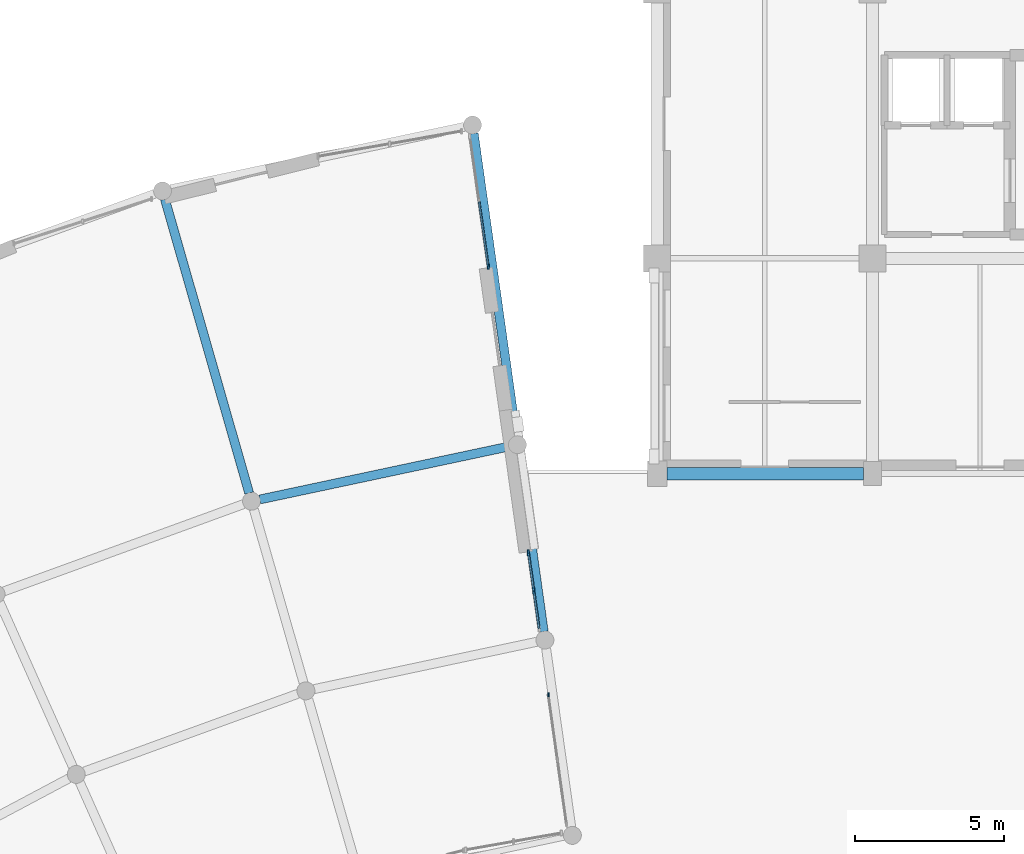
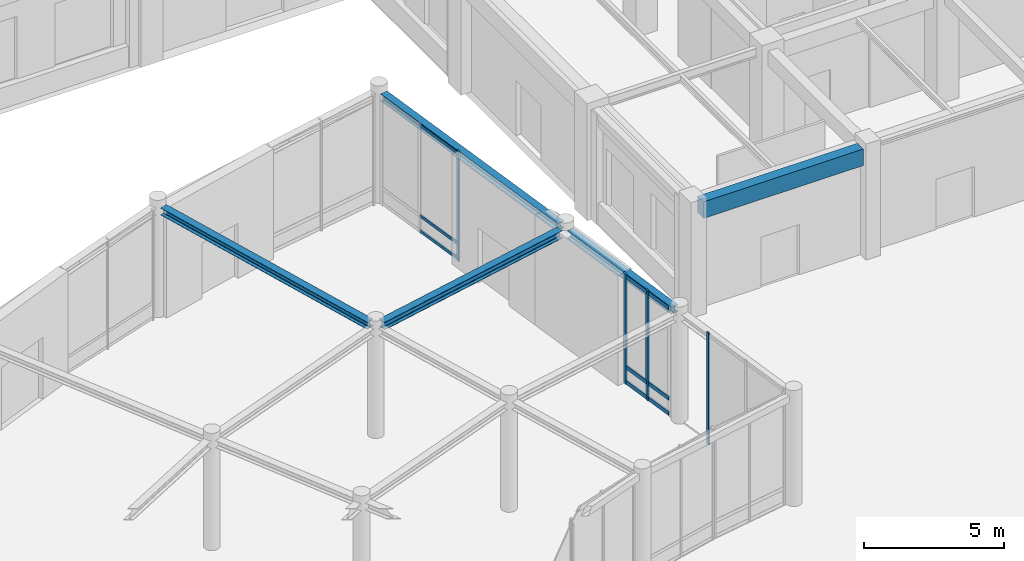
# One storey, part 34 of 64: 13 members, 5 beams, 3 elements without a shape of their own.
"""IFC4 building model written with IfcOpenShell, lengths in metres."""

from ifc_helpers import new_model, si_unit, direction, frame, origin, origin_2d, place, context, subcontext, project, spatial, rectangle, i_section, extrude, material, material_profile, profile_set, type_object, element, aggregate, save


model = new_model("IFC4")

# Units and contexts
model_context = context("Model", 3, precision=1e-05, world=origin(), true_north=direction((0.0, 1.0)))
body_context = subcontext(model_context, "Body", "Model", "MODEL_VIEW")
ifc_project = project(units=[si_unit("LENGTHUNIT", "METRE"), si_unit("AREAUNIT", "SQUARE_METRE"), si_unit("VOLUMEUNIT", "CUBIC_METRE"), si_unit("PLANEANGLEUNIT", "RADIAN"), si_unit("MASSUNIT", "GRAM", prefix="KILO")], contexts=[model_context])

# Site, building, storey
site_placement = place(None, origin())
site = spatial("IfcSite", under=ifc_project, at=site_placement, CompositionType="ELEMENT")
building_placement = place(site_placement, origin())
building = spatial("IfcBuilding", under=site, at=building_placement, Name="Clarverna Civic Hall", CompositionType="ELEMENT")
storey_placement = place(building_placement, origin())
storey = spatial("IfcBuildingStorey", under=building, at=storey_placement, Name="L00", CompositionType="ELEMENT", Elevation=0.0)

# Beams
ifc_material_1 = material(Name="Concrete C35/45", Category="concrete")
ifc_material_profile_1 = material_profile(ifc_material_1, rectangle(XDim=0.419921875, YDim=0.719970703125, at=origin_2d()), Name="RC 420x720")
ifc_profile_set_1 = profile_set([ifc_material_profile_1], Name="Concrete C35/45")
beam_type_1 = type_object("IfcBeamType", Name="B-SP1", PredefinedType="SPANDREL", material=ifc_profile_set_1)
beam_1_placement = place(storey_placement, frame((147.925048828125, 71.60009765625, 4.419921875), z_axis=(1.0, 0.0, 0.0), x_axis=(0.0, 1.0, 0.0)))
element("IfcBeam", 1, at=beam_1_placement, inside=storey, type_object=beam_type_1, Name="B-SP1-038", PredefinedType="SPANDREL", context=body_context, shape_type="SweptSolid", body=[
    extrude(rectangle(XDim=0.419921875, YDim=0.719970703125, at=origin_2d()), origin(), (0.0, 0.0, 1.0), 6.574951171875),
])
ifc_material_2 = material(Name="Steel S355", Category="steel")
ifc_material_profile_2 = material_profile(ifc_material_2, i_section(OverallWidth=0.300048828125, OverallDepth=0.330078125, WebThickness=0.009521484375, FlangeThickness=0.0166015625, FilletRadius=0.027099609375, at=origin_2d()), Name="HEA 340")
ifc_profile_set_2 = profile_set([ifc_material_profile_2], Name="Steel S355")
beam_type_2 = type_object("IfcBeamType", Name="B-ST8", PredefinedType="BEAM", material=ifc_profile_set_2)
beam_2_placement = place(storey_placement, frame((142.647216796875, 72.506103515625, 4.614990234375), z_axis=(-0.978154266042, -0.207880330537, 0.0), x_axis=(0.207880330537, -0.978154266042, 0.0)))
element("IfcBeam", 2, at=beam_2_placement, inside=storey, type_object=beam_type_2, Name="B-ST8-038", PredefinedType="BEAM", context=body_context, shape_type="SweptSolid", body=[
    extrude(i_section(OverallWidth=0.300048828125, OverallDepth=0.330078125, WebThickness=0.009521484375, FlangeThickness=0.0166015625, FilletRadius=0.027099609375, at=origin_2d()), origin(), (0.0, 0.0, 1.0), 8.5263671875),
])
ifc_material_profile_3 = material_profile(ifc_material_2, i_section(OverallWidth=0.300048828125, OverallDepth=0.31005859375, WebThickness=0.009033203125, FlangeThickness=0.015380859375, FilletRadius=0.027099609375, at=origin_2d()), Name="HEA 320")
ifc_profile_set_3 = profile_set([ifc_material_profile_3], Name="Steel S355")
beam_type_3 = type_object("IfcBeamType", Name="B-ST9", PredefinedType="BEAM", material=ifc_profile_set_3)
beam_3_placement = place(storey_placement, frame((143.8046875, 66.31201171875, 4.625), z_axis=(-0.139159294344, 0.990270009037, 0.0), x_axis=(-0.990270009037, -0.139159294344, 0.0)))
element("IfcBeam", 3, at=beam_3_placement, inside=storey, type_object=beam_type_3, Name="B-ST9-023", PredefinedType="BEAM", context=body_context, shape_type="SweptSolid", body=[
    extrude(i_section(OverallWidth=0.300048828125, OverallDepth=0.31005859375, WebThickness=0.009033203125, FlangeThickness=0.015380859375, FilletRadius=0.027099609375, at=origin_2d()), origin(), (0.0, 0.0, 1.0), 6.02978515625),
])
beam_4_placement = place(storey_placement, frame((142.88623046875, 72.84765625, 4.625), z_axis=(-0.1391791403, 0.990267219949, 0.0), x_axis=(-0.990267219949, -0.1391791403, 0.0)))
element("IfcBeam", 4, at=beam_4_placement, inside=storey, type_object=beam_type_3, Name="B-ST9-024", PredefinedType="BEAM", context=body_context, shape_type="SweptSolid", body=[
    extrude(i_section(OverallWidth=0.300048828125, OverallDepth=0.31005859375, WebThickness=0.009033203125, FlangeThickness=0.015380859375, FilletRadius=0.027099609375, at=origin_2d()), origin(), (0.0, 0.0, 1.0), 10.230224609375),
])
beam_5_placement = place(storey_placement, frame((133.94970703125, 70.9482421875, 4.625), z_axis=(-0.275619330594, 0.961266864405, 0.0), x_axis=(-0.961266864405, -0.275619330594, 0.0)))
element("IfcBeam", 5, at=beam_5_placement, inside=storey, type_object=beam_type_3, Name="B-ST9-027", PredefinedType="BEAM", context=body_context, shape_type="SweptSolid", body=[
    extrude(i_section(OverallWidth=0.300048828125, OverallDepth=0.31005859375, WebThickness=0.009033203125, FlangeThickness=0.015380859375, FilletRadius=0.027099609375, at=origin_2d()), origin(), (0.0, 0.0, 1.0), 10.22998046875),
])

# Curtain wall, member
ifc_material_3 = material(Name="Anodised Bronze Architectural Aluminium", Category="aluminium")
curtain_wall_type = type_object("IfcCurtainWallType", Name="CW-03", PredefinedType="USERDEFINED", material=ifc_material_3)
curtain_wall_1_placement = place(storey_placement, origin())
curtain_wall_1 = element("IfcCurtainWall", 6, at=curtain_wall_1_placement, inside=storey, type_object=curtain_wall_type, Name="CW-03-005", ObjectType="UNITISED CURTAIN WALL", PredefinedType="USERDEFINED")
ifc_material_profile_4 = material_profile(ifc_material_3, rectangle(XDim=0.06005859375, YDim=0.159912109375, at=origin_2d()), Name="BRONZE 60x160")
ifc_profile_set_4 = profile_set([ifc_material_profile_4], Name="Anodised Bronze Architectural Aluminium")
member_type_1 = type_object("IfcMemberType", Name="CWM-02", PredefinedType="MULLION", material=ifc_profile_set_4)
member_1_placement = place(storey_placement, frame((141.947509765625, 78.520263671875, 0.0), z_axis=(0.0, 0.0, 1.0), x_axis=(1.0, 0.0, 0.0)))
member_1 = element("IfcMember", 7, at=member_1_placement, type_object=member_type_1, Name="CWM-02-006", PredefinedType="MULLION", context=body_context, shape_type="SweptSolid", body=[
    extrude(rectangle(XDim=0.06005859375, YDim=0.159912109375, at=origin_2d()), origin(), (0.0, 0.0, 1.0), 4.780029296875),
])

# Curtain wall, members
curtain_wall_2_placement = place(storey_placement, origin())
curtain_wall_2 = element("IfcCurtainWall", 8, at=curtain_wall_2_placement, inside=storey, type_object=curtain_wall_type, Name="CW-03-006", ObjectType="UNITISED CURTAIN WALL", PredefinedType="USERDEFINED")
ifc_material_profile_5 = material_profile(ifc_material_3, rectangle(XDim=0.06494140625, YDim=0.199951171875, at=origin_2d()), Name="BRONZE 65x200")
ifc_profile_set_5 = profile_set([ifc_material_profile_5], Name="Anodised Bronze Architectural Aluminium")
member_type_2 = type_object("IfcMemberType", Name="CWM-03", PredefinedType="MULLION", material=ifc_profile_set_5)
member_2_placement = place(storey_placement, frame((143.29296875, 68.9482421875, 0.0), z_axis=(0.0, 0.0, 1.0), x_axis=(1.0, 0.0, 0.0)))
member_2 = element("IfcMember", 9, at=member_2_placement, type_object=member_type_2, Name="CWM-03-004", PredefinedType="MULLION", context=body_context, shape_type="SweptSolid", body=[
    extrude(rectangle(XDim=0.06494140625, YDim=0.199951171875, at=origin_2d()), origin(), (0.0, 0.0, 1.0), 4.780029296875),
])
member_3_placement = place(storey_placement, frame((143.4716796875, 67.67529296875, 0.0), z_axis=(0.0, 0.0, 1.0), x_axis=(1.0, 0.0, 0.0)))
member_3 = element("IfcMember", 10, at=member_3_placement, type_object=member_type_2, Name="CWM-03-005", PredefinedType="MULLION", context=body_context, shape_type="SweptSolid", body=[
    extrude(rectangle(XDim=0.06494140625, YDim=0.199951171875, at=origin_2d()), origin(), (0.0, 0.0, 1.0), 4.780029296875),
])

# Curtain wall, member
curtain_wall_3_placement = place(storey_placement, origin())
curtain_wall_3 = element("IfcCurtainWall", 11, at=curtain_wall_3_placement, inside=storey, type_object=curtain_wall_type, Name="CW-03-007", ObjectType="UNITISED CURTAIN WALL", PredefinedType="USERDEFINED")
ifc_material_profile_6 = material_profile(ifc_material_3, rectangle(XDim=0.054931640625, YDim=0.139892578125, at=origin_2d()), Name="BRONZE 55x140")
ifc_profile_set_6 = profile_set([ifc_material_profile_6], Name="Anodised Bronze Architectural Aluminium")
member_type_3 = type_object("IfcMemberType", Name="CWM-04", PredefinedType="MULLION", material=ifc_profile_set_6)
member_4_placement = place(storey_placement, frame((143.9609375, 64.195068359375, 0.0), z_axis=(0.0, 0.0, 1.0), x_axis=(1.0, 0.0, 0.0)))
member_4 = element("IfcMember", 12, at=member_4_placement, type_object=member_type_3, Name="CWM-04-004", PredefinedType="MULLION", context=body_context, shape_type="SweptSolid", body=[
    extrude(rectangle(XDim=0.054931640625, YDim=0.139892578125, at=origin_2d()), origin(), (0.0, 0.0, 1.0), 4.860107421875),
])
aggregate(curtain_wall_3, [member_4])

# Member
ifc_material_profile_7 = material_profile(ifc_material_3, rectangle(XDim=0.06005859375, YDim=0.1298828125, at=origin_2d()), Name="BRONZE 60x130")
ifc_profile_set_7 = profile_set([ifc_material_profile_7], Name="Anodised Bronze Architectural Aluminium")
member_type_4 = type_object("IfcMemberType", Name="CWT-02", PredefinedType="USERDEFINED", material=ifc_profile_set_7)
member_5_placement = place(storey_placement, frame((141.642822265625, 80.689208984375, 0.094970703125), z_axis=(0.139174005175, -0.990267941662, 0.0), x_axis=(0.990267941662, 0.139174005175, 0.0)))
member_5 = element("IfcMember", 13, at=member_5_placement, type_object=member_type_4, Name="CWT-02-010", ObjectType="TRANSOM", PredefinedType="USERDEFINED", context=body_context, shape_type="SweptSolid", body=[
    extrude(rectangle(XDim=0.06005859375, YDim=0.1298828125, at=origin_2d()), origin(), (0.0, 0.0, 1.0), 2.17529296875),
])

member_6_placement = place(storey_placement, frame((141.642822265625, 80.689208984375, 0.75), z_axis=(0.139174005175, -0.990267941662, 0.0), x_axis=(0.990267941662, 0.139174005175, 0.0)))
member_6 = element("IfcMember", 14, at=member_6_placement, type_object=member_type_4, Name="CWT-02-011", ObjectType="TRANSOM", PredefinedType="USERDEFINED", context=body_context, shape_type="SweptSolid", body=[
    extrude(rectangle(XDim=0.06005859375, YDim=0.1298828125, at=origin_2d()), origin(), (0.0, 0.0, 1.0), 2.17529296875),
])

member_7_placement = place(storey_placement, frame((141.642822265625, 80.689208984375, 4.68505859375), z_axis=(0.139174005175, -0.990267941662, 0.0), x_axis=(0.990267941662, 0.139174005175, 0.0)))
member_7 = element("IfcMember", 15, at=member_7_placement, type_object=member_type_4, Name="CWT-02-012", ObjectType="TRANSOM", PredefinedType="USERDEFINED", context=body_context, shape_type="SweptSolid", body=[
    extrude(rectangle(XDim=0.06005859375, YDim=0.1298828125, at=origin_2d()), origin(), (0.0, 0.0, 1.0), 2.17529296875),
])

aggregate(curtain_wall_1, [member_1, member_5, member_6, member_7])

ifc_material_profile_8 = material_profile(ifc_material_3, rectangle(XDim=0.06494140625, YDim=0.169921875, at=origin_2d()), Name="BRONZE 65x170")
ifc_profile_set_8 = profile_set([ifc_material_profile_8], Name="Anodised Bronze Architectural Aluminium")
member_type_5 = type_object("IfcMemberType", Name="CWT-03", PredefinedType="USERDEFINED", material=ifc_profile_set_8)
member_8_placement = place(storey_placement, frame((143.294921875, 68.933349609375, 0.094970703125), z_axis=(0.139242912506, -0.990258254859, 0.0), x_axis=(0.990258254859, 0.139242912506, 0.0)))
member_8 = element("IfcMember", 16, at=member_8_placement, type_object=member_type_5, Name="CWT-03-007", ObjectType="TRANSOM", PredefinedType="USERDEFINED", context=body_context, shape_type="SweptSolid", body=[
    extrude(rectangle(XDim=0.06494140625, YDim=0.169921875, at=origin_2d()), origin(), (0.0, 0.0, 1.0), 1.25537109375),
])

member_9_placement = place(storey_placement, frame((143.294921875, 68.933349609375, 0.75), z_axis=(0.139242912506, -0.990258254859, 0.0), x_axis=(0.990258254859, 0.139242912506, 0.0)))
member_9 = element("IfcMember", 17, at=member_9_placement, type_object=member_type_5, Name="CWT-03-008", ObjectType="TRANSOM", PredefinedType="USERDEFINED", context=body_context, shape_type="SweptSolid", body=[
    extrude(rectangle(XDim=0.06494140625, YDim=0.169921875, at=origin_2d()), origin(), (0.0, 0.0, 1.0), 1.25537109375),
])

member_10_placement = place(storey_placement, frame((143.294921875, 68.933349609375, 4.68505859375), z_axis=(0.139242912506, -0.990258254859, 0.0), x_axis=(0.990258254859, 0.139242912506, 0.0)))
member_10 = element("IfcMember", 18, at=member_10_placement, type_object=member_type_5, Name="CWT-03-009", ObjectType="TRANSOM", PredefinedType="USERDEFINED", context=body_context, shape_type="SweptSolid", body=[
    extrude(rectangle(XDim=0.06494140625, YDim=0.169921875, at=origin_2d()), origin(), (0.0, 0.0, 1.0), 1.25537109375),
])

member_11_placement = place(storey_placement, frame((143.473876953125, 67.660400390625, 0.094970703125), z_axis=(0.139242912506, -0.990258254859, 0.0), x_axis=(0.990258254859, 0.139242912506, 0.0)))
member_11 = element("IfcMember", 19, at=member_11_placement, type_object=member_type_5, Name="CWT-03-010", ObjectType="TRANSOM", PredefinedType="USERDEFINED", context=body_context, shape_type="SweptSolid", body=[
    extrude(rectangle(XDim=0.06494140625, YDim=0.169921875, at=origin_2d()), origin(), (0.0, 0.0, 1.0), 1.25537109375),
])

member_12_placement = place(storey_placement, frame((143.473876953125, 67.660400390625, 0.75), z_axis=(0.139242912506, -0.990258254859, 0.0), x_axis=(0.990258254859, 0.139242912506, 0.0)))
member_12 = element("IfcMember", 20, at=member_12_placement, type_object=member_type_5, Name="CWT-03-011", ObjectType="TRANSOM", PredefinedType="USERDEFINED", context=body_context, shape_type="SweptSolid", body=[
    extrude(rectangle(XDim=0.06494140625, YDim=0.169921875, at=origin_2d()), origin(), (0.0, 0.0, 1.0), 1.25537109375),
])

member_13_placement = place(storey_placement, frame((143.473876953125, 67.660400390625, 4.68505859375), z_axis=(0.139242912506, -0.990258254859, 0.0), x_axis=(0.990258254859, 0.139242912506, 0.0)))
member_13 = element("IfcMember", 21, at=member_13_placement, type_object=member_type_5, Name="CWT-03-012", ObjectType="TRANSOM", PredefinedType="USERDEFINED", context=body_context, shape_type="SweptSolid", body=[
    extrude(rectangle(XDim=0.06494140625, YDim=0.169921875, at=origin_2d()), origin(), (0.0, 0.0, 1.0), 1.25537109375),
])

aggregate(curtain_wall_2, [member_2, member_3, member_8, member_9, member_10, member_11, member_12, member_13])

save(model, "model.ifc")
